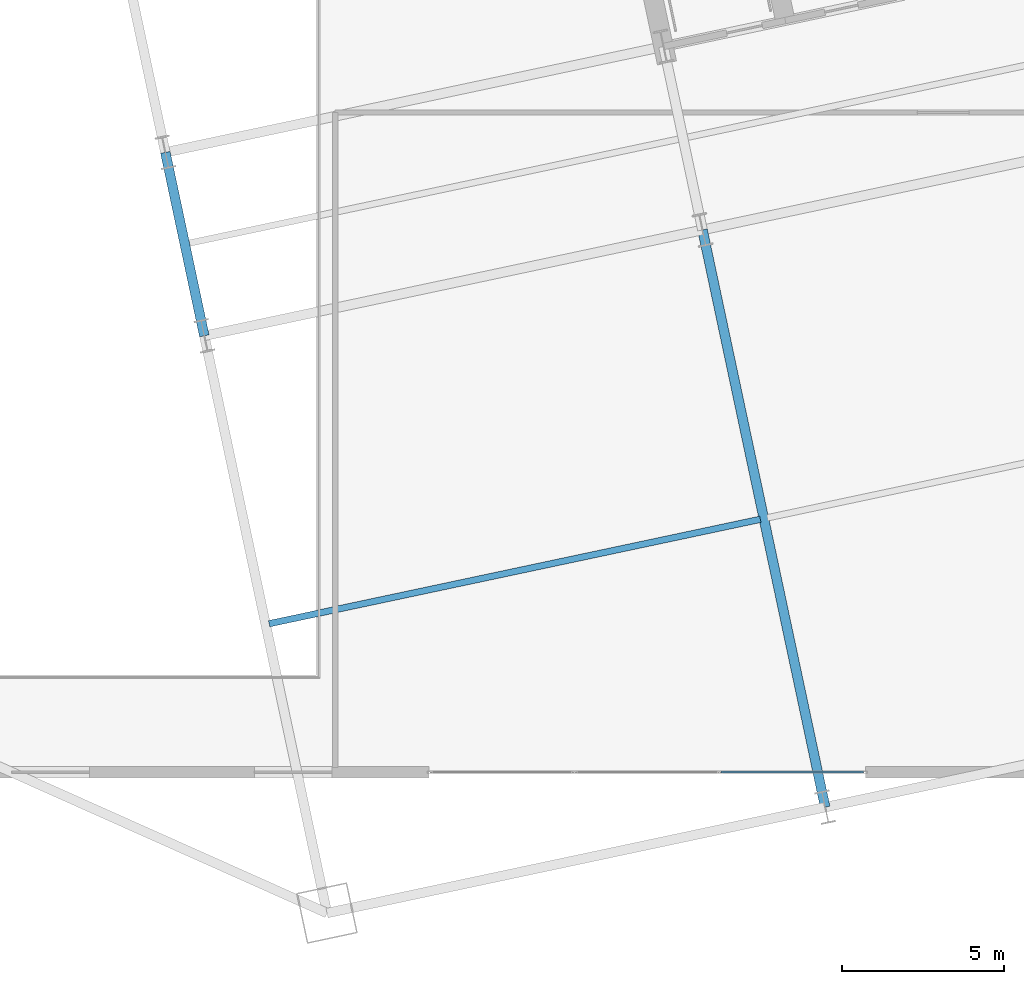
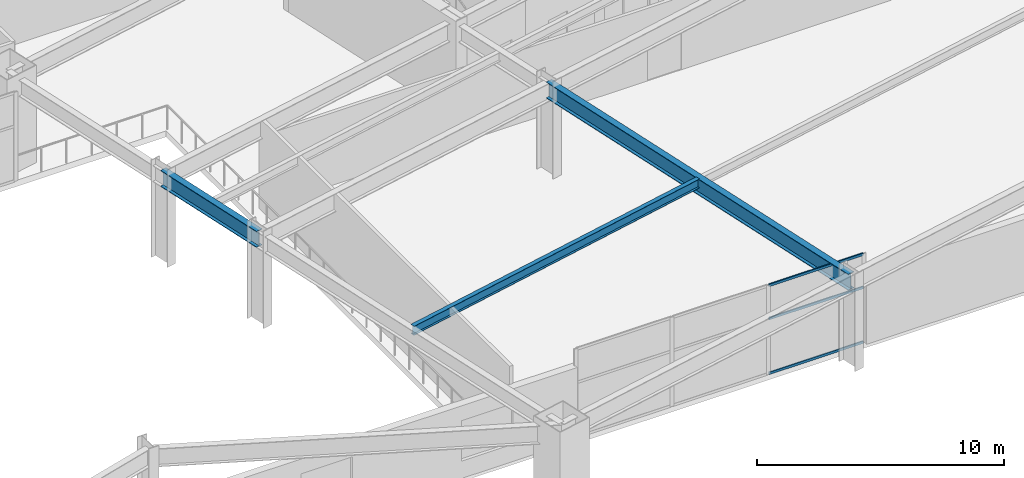
# One storey, part 11 of 30: 3 beams, 3 members, 1 element without a shape of its own.
"""IFC4 building model written with IfcOpenShell, lengths in metres."""

from ifc_helpers import new_model, si_unit, direction, frame, origin, origin_2d, place, context, subcontext, project, spatial, hollow_rectangle, i_section, extrude, material, layer, layer_set, material_profile, profile_set, type_object, element, aggregate, save


model = new_model("IFC4")

# Units and contexts
model_context = context("Model", 3, precision=1e-05, world=origin(), true_north=direction((0.0, 1.0)))
body_context = subcontext(model_context, "Body", "Model", "MODEL_VIEW")
ifc_project = project(units=[si_unit("LENGTHUNIT", "METRE"), si_unit("AREAUNIT", "SQUARE_METRE"), si_unit("VOLUMEUNIT", "CUBIC_METRE"), si_unit("PLANEANGLEUNIT", "RADIAN"), si_unit("MASSUNIT", "GRAM", prefix="KILO")], contexts=[model_context])

# Site, building, storey
site_placement = place(None, origin())
site = spatial("IfcSite", under=ifc_project, at=site_placement, CompositionType="ELEMENT")
building_placement = place(site_placement, origin())
building = spatial("IfcBuilding", under=site, at=building_placement, Name="Haevon Station Towers", CompositionType="ELEMENT")
storey_placement = place(building_placement, frame((0.0, 0.0, 15.60009765625)))
storey = spatial("IfcBuildingStorey", under=building, at=storey_placement, Name="L03", CompositionType="ELEMENT", Elevation=15.60009765625)

# Beams
ifc_material_1 = material(Name="Steel S355", Category="steel")
ifc_material_profile_1 = material_profile(ifc_material_1, i_section(OverallWidth=0.199951171875, OverallDepth=0.449951171875, WebThickness=0.009033203125, FlangeThickness=0.013916015625, at=origin_2d()), Name="H-450x200x9x14")
ifc_profile_set_1 = profile_set([ifc_material_profile_1], Name="Steel S355")
beam_type_1 = type_object("IfcBeamType", Name="BM-J450", PredefinedType="JOIST", material=ifc_profile_set_1)
beam_1_placement = place(storey_placement, frame((86.55712890625, 19.591796875, 4.27490234375), z_axis=(0.978145944065, 0.207919484679, 0.0), x_axis=(-0.207919484679, 0.978145944065, 0.0)))
element("IfcBeam", 1, at=beam_1_placement, inside=storey, type_object=beam_type_1, Name="BM-T2J-L03-01-01", PredefinedType="JOIST", context=body_context, shape_type="SweptSolid", body=[
    extrude(i_section(OverallWidth=0.199951171875, OverallDepth=0.449951171875, WebThickness=0.009033203125, FlangeThickness=0.013916015625, at=origin_2d()), origin(), (0.0, 0.0, 1.0), 15.530029296875),
])
ifc_material_profile_2 = material_profile(ifc_material_1, i_section(OverallWidth=0.300048828125, OverallDepth=0.800048828125, WebThickness=0.013916015625, FlangeThickness=0.02587890625, at=origin_2d()), Name="H-800x300x14x26")
ifc_profile_set_2 = profile_set([ifc_material_profile_2], Name="Steel S355")
beam_type_2 = type_object("IfcBeamType", Name="BM-PG800", PredefinedType="BEAM", material=ifc_profile_set_2)
beam_2_placement = place(storey_placement, frame((84.552490234375, 28.49462890625, 4.099853515625), z_axis=(-0.207944843707, 0.978140553282, 0.0), x_axis=(-0.978140553282, -0.207944843707, 0.0)))
element("IfcBeam", 2, at=beam_2_placement, inside=storey, type_object=beam_type_2, Name="BM-T2V-L03-01-02", PredefinedType="BEAM", context=body_context, shape_type="SweptSolid", body=[
    extrude(i_section(OverallWidth=0.300048828125, OverallDepth=0.800048828125, WebThickness=0.013916015625, FlangeThickness=0.02587890625, at=origin_2d()), origin(), (0.0, 0.0, 1.0), 5.7998046875),
])
beam_3_placement = place(storey_placement, frame((103.752685546875, 13.91796875, 4.099853515625), z_axis=(-0.207915393978, 0.978146813595, 0.0), x_axis=(-0.978146813595, -0.207915393978, 0.0)))
element("IfcBeam", 3, at=beam_3_placement, inside=storey, type_object=beam_type_2, Name="BM-T2V-L03-02-01", PredefinedType="BEAM", context=body_context, shape_type="SweptSolid", body=[
    extrude(i_section(OverallWidth=0.300048828125, OverallDepth=0.800048828125, WebThickness=0.013916015625, FlangeThickness=0.02587890625, at=origin_2d()), origin(), (0.0, 0.0, 1.0), 18.25),
])

# Curtain wall, members
ifc_material_2 = material(Name="Anodised aluminium and Low-E double glazing", Category="aluminium")
ifc_layer = layer(ifc_material_2, 0.179931640625)
ifc_layer_set = layer_set([ifc_layer], Name="Anodised aluminium and Low-E double glazing")
curtain_wall_type = type_object("IfcCurtainWallType", Name="CW-SYS2", PredefinedType="NOTDEFINED", material=ifc_layer_set)
curtain_wall_placement = place(storey_placement, origin())
curtain_wall = element("IfcCurtainWall", 4, at=curtain_wall_placement, inside=storey, type_object=curtain_wall_type, Name="L03 Curtain Wall CW-POD-L03-S1", PredefinedType="NOTDEFINED")
ifc_material_3 = material(Name="Anodised aluminium 6063-T6", Category="aluminium")
ifc_material_profile_3 = material_profile(ifc_material_3, hollow_rectangle(XDim=0.06005859375, YDim=0.1201171875, WallThickness=0.0029296875, at=origin_2d()), Name="CWT-120x60x3")
ifc_profile_set_3 = profile_set([ifc_material_profile_3], Name="Anodised aluminium 6063-T6")
member_type = type_object("IfcMemberType", Name="CWT-120", PredefinedType="USERDEFINED", material=ifc_profile_set_3)
member_1_placement = place(storey_placement, frame((104.93505859375, 15.0, 0.02978515625), z_axis=(-1.0, 0.0, 0.0), x_axis=(0.0, -1.0, 0.0)))
member_1 = element("IfcMember", 5, at=member_1_placement, type_object=member_type, Name="CW-SYS2 transom 1.1", ObjectType="TRANSOM", PredefinedType="USERDEFINED", context=body_context, shape_type="SweptSolid", body=[
    extrude(hollow_rectangle(XDim=0.06005859375, YDim=0.1201171875, WallThickness=0.0029296875, at=origin_2d()), origin(), (0.0, 0.0, 1.0), 4.402587890625),
])
member_2_placement = place(storey_placement, frame((104.93505859375, 15.0, 2.727783203125), z_axis=(-1.0, 0.0, 0.0), x_axis=(0.0, -1.0, 0.0)))
member_2 = element("IfcMember", 6, at=member_2_placement, type_object=member_type, Name="CW-SYS2 transom 1.2", ObjectType="TRANSOM", PredefinedType="USERDEFINED", context=body_context, shape_type="SweptSolid", body=[
    extrude(hollow_rectangle(XDim=0.06005859375, YDim=0.1201171875, WallThickness=0.0029296875, at=origin_2d()), origin(), (0.0, 0.0, 1.0), 4.402587890625),
])
member_3_placement = place(storey_placement, frame((104.93505859375, 15.0, 4.369873046875), z_axis=(-1.0, 0.0, 0.0), x_axis=(0.0, -1.0, 0.0)))
member_3 = element("IfcMember", 7, at=member_3_placement, type_object=member_type, Name="CW-SYS2 transom 1.3", ObjectType="TRANSOM", PredefinedType="USERDEFINED", context=body_context, shape_type="SweptSolid", body=[
    extrude(hollow_rectangle(XDim=0.06005859375, YDim=0.1201171875, WallThickness=0.0029296875, at=origin_2d()), origin(), (0.0, 0.0, 1.0), 4.402587890625),
])
aggregate(curtain_wall, [member_1, member_2, member_3])

save(model, "model.ifc")
